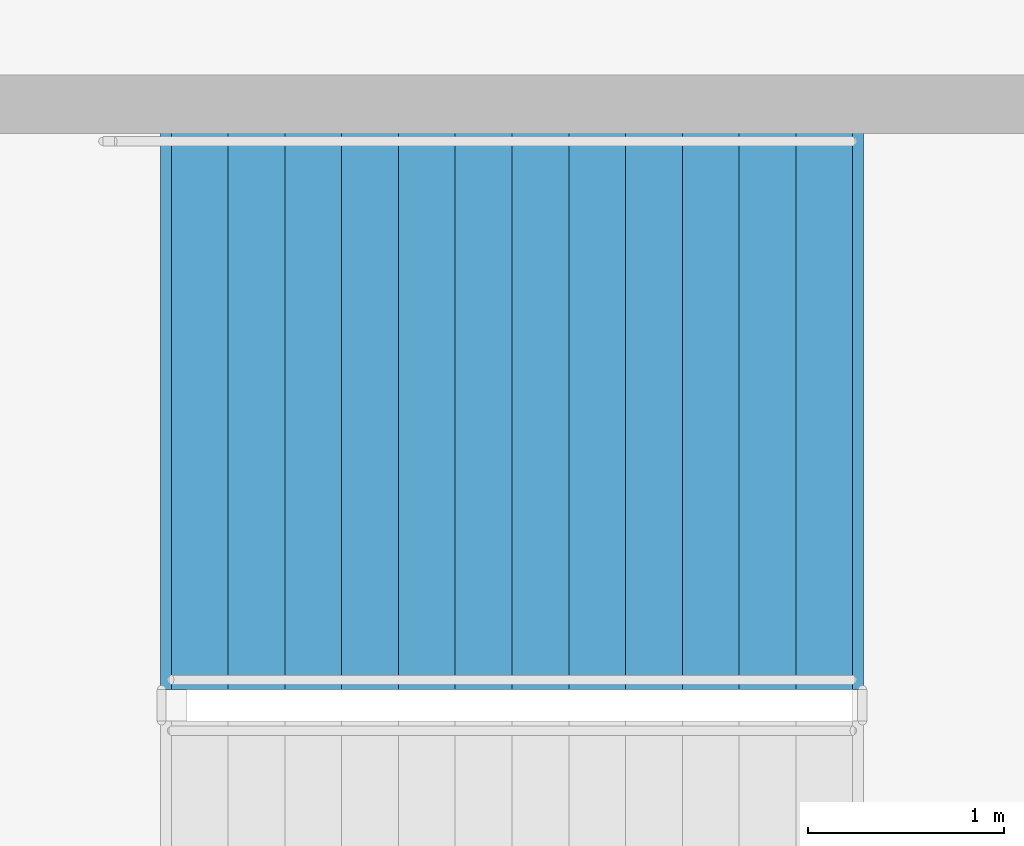
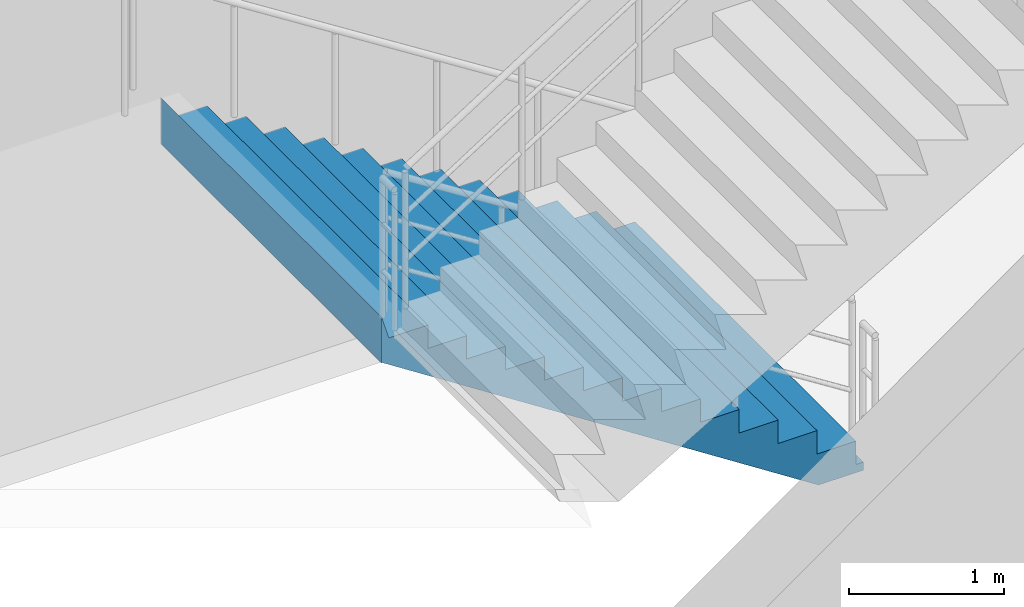
# One storey, part 125 of 144: 1 stair flight, 1 element without a shape of its own.
"""IFC4 building model written with IfcOpenShell, lengths in metres."""

from ifc_helpers import new_model, si_unit, direction, frame, origin, place, context, subcontext, project, spatial, polyline, outline, extrude, material, type_object, element, aggregate, save


model = new_model("IFC4")

# Units and contexts
model_context = context("Model", 3, precision=1e-05, world=origin(), true_north=direction((0.0, 1.0)))
body_context = subcontext(model_context, "Body", "Model", "MODEL_VIEW")
ifc_project = project(units=[si_unit("LENGTHUNIT", "METRE"), si_unit("AREAUNIT", "SQUARE_METRE"), si_unit("VOLUMEUNIT", "CUBIC_METRE"), si_unit("PLANEANGLEUNIT", "RADIAN"), si_unit("MASSUNIT", "GRAM", prefix="KILO")], contexts=[model_context])

# Site, building, storey
site_placement = place(None, origin())
site = spatial("IfcSite", under=ifc_project, at=site_placement, CompositionType="ELEMENT")
building_placement = place(site_placement, origin())
building = spatial("IfcBuilding", under=site, at=building_placement, Name="Cinderbank Siding Concert Hall", CompositionType="ELEMENT")
storey_placement = place(building_placement, frame((0.0, 0.0, 5.39990234375)))
storey = spatial("IfcBuildingStorey", under=building, at=storey_placement, Name="L02", CompositionType="ELEMENT", Elevation=5.39990234375)

# Stair, stair flight
ifc_material = material(Name="Reinforced concrete AS 3600 N50 (50 MPa)", Category="concrete")
stair_type = type_object("IfcStairType", Name="STR-J Dogleg Exit Stair 2850mm", PredefinedType="HALF_TURN_STAIR", material=ifc_material)
stair_placement = place(storey_placement, origin())
stair = element("IfcStair", 1, at=stair_placement, inside=storey, type_object=stair_type, Name="L02 East Link South Exit Stair ST-12", PredefinedType="HALF_TURN_STAIR")
stair_flight_type = type_object("IfcStairFlightType", Name="SFL-J Concrete Stair Flight 2850mm", PredefinedType="STRAIGHT", material=ifc_material)
stair_flight_placement = place(storey_placement, frame((160.85009765625, 63.284912109375, 0.0), z_axis=(0.0, 0.0, 1.0), x_axis=(-1.0, 0.0, 0.0)))
stair_flight = element("IfcStairFlight", 2, at=stair_flight_placement, type_object=stair_flight_type, Name="ST-12 flight 1", NumberOfRisers=13, NumberOfTreads=12, PredefinedType="STRAIGHT", RiserHeight=0.184615385, TreadLength=0.29, context=body_context, shape_type="SweptSolid", body=[
    extrude(outline(polyline([(0.0, 0.0), (0.0, 0.1845703125), (0.2900390625, 0.1845703125), (0.2900390625, 0.369140625), (0.580078125, 0.369140625), (0.580078125, 0.553955078125), (0.8701171875, 0.553955078125), (0.8701171875, 0.738525390625), (1.159912109375, 0.738525390625), (1.159912109375, 0.923095703125), (1.449951171875, 0.923095703125), (1.449951171875, 1.107666015625), (1.739990234375, 1.107666015625), (1.739990234375, 1.292236328125), (2.030029296875, 1.292236328125), (2.030029296875, 1.476806640625), (2.320068359375, 1.476806640625), (2.320068359375, 1.66162109375), (2.610107421875, 1.66162109375), (2.610107421875, 1.84619140625), (2.89990234375, 1.84619140625), (2.89990234375, 2.03076171875), (3.18994140625, 2.03076171875), (3.18994140625, 2.21533203125), (3.47998046875, 2.21533203125), (3.534912109375, 2.39990234375), (3.534912109375, 2.03759765625), (3.53466796875, 2.037841796875), (3.53466796875, 2.0380859375), (3.53466796875, 2.038330078125), (3.53466796875, 2.03857421875), (3.53466796875, 2.038818359375), (3.53466796875, 2.0390625), (3.53466796875, 2.039306640625), (3.53466796875, 2.03955078125), (3.53466796875, 2.039794921875), (3.53466796875, 2.0400390625), (3.53466796875, 2.040283203125), (3.53466796875, 2.04052734375), (3.534423828125, 2.04052734375), (3.534423828125, 2.040283203125), (3.534423828125, 2.0400390625), (3.534423828125, 2.039794921875), (3.534423828125, 2.03955078125), (3.534423828125, 2.039306640625), (3.534423828125, 2.0390625), (3.534423828125, 2.038818359375), (3.534423828125, 2.03857421875), (3.534423828125, 2.038330078125), (3.534423828125, 2.0380859375), (3.534423828125, 2.037841796875), (3.534423828125, 2.03759765625), (3.5341796875, 2.037841796875), (3.5341796875, 2.0380859375), (3.5341796875, 2.038330078125), (3.5341796875, 2.03857421875), (3.5341796875, 2.038818359375), (3.5341796875, 2.0390625), (3.5341796875, 2.039306640625), (3.5341796875, 2.03955078125), (3.5341796875, 2.039794921875), (3.5341796875, 2.0400390625), (3.5341796875, 2.040283203125), (3.5341796875, 2.04052734375), (3.533935546875, 2.04052734375), (3.533935546875, 2.040283203125), (3.533935546875, 2.0400390625), (3.533935546875, 2.039794921875), (3.533935546875, 2.03955078125), (3.533935546875, 2.039306640625), (3.533935546875, 2.0390625), (3.533935546875, 2.038818359375), (3.533935546875, 2.03857421875), (3.533935546875, 2.038330078125), (3.533935546875, 2.0380859375), (3.533935546875, 2.037841796875), (3.533935546875, 2.03759765625), (3.53369140625, 2.037841796875), (3.53369140625, 2.0380859375), (3.53369140625, 2.038330078125), (3.53369140625, 2.03857421875), (3.53369140625, 2.038818359375), (3.53369140625, 2.0390625), (3.53369140625, 2.039306640625), (3.53369140625, 2.03955078125), (3.53369140625, 2.039794921875), (3.53369140625, 2.0400390625), (3.53369140625, 2.040283203125), (3.53369140625, 2.04052734375), (3.533447265625, 2.04052734375), (3.533447265625, 2.040283203125), (3.533447265625, 2.0400390625), (3.533447265625, 2.039794921875), (3.533447265625, 2.03955078125), (3.533447265625, 2.039306640625), (3.533447265625, 2.0390625), (3.533447265625, 2.038818359375), (3.533447265625, 2.03857421875), (3.533447265625, 2.038330078125), (3.533447265625, 2.0380859375), (3.533447265625, 2.037841796875), (3.533447265625, 2.03759765625), (3.533203125, 2.037841796875), (3.533203125, 2.0380859375), (3.533203125, 2.038330078125), (3.533203125, 2.03857421875), (3.533203125, 2.038818359375), (3.533203125, 2.0390625), (3.533203125, 2.039306640625), (3.533203125, 2.03955078125), (3.533203125, 2.039794921875), (3.533203125, 2.0400390625), (3.533203125, 2.040283203125), (3.533203125, 2.04052734375), (3.532958984375, 2.04052734375), (3.532958984375, 2.040283203125), (3.532958984375, 2.0400390625), (3.532958984375, 2.039794921875), (3.532958984375, 2.03955078125), (3.532958984375, 2.039306640625), (3.532958984375, 2.0390625), (3.532958984375, 2.038818359375), (3.532958984375, 2.03857421875), (3.532958984375, 2.038330078125), (3.532958984375, 2.0380859375), (3.532958984375, 2.037841796875), (3.532958984375, 2.03759765625), (3.53271484375, 2.037841796875), (3.53271484375, 2.0380859375), (3.53271484375, 2.038330078125), (3.53271484375, 2.03857421875), (3.53271484375, 2.038818359375), (3.53271484375, 2.0390625), (3.53271484375, 2.039306640625), (3.53271484375, 2.03955078125), (3.53271484375, 2.039794921875), (3.53271484375, 2.0400390625), (3.53271484375, 2.040283203125), (3.53271484375, 2.04052734375), (3.532470703125, 2.04052734375), (3.532470703125, 2.040283203125), (3.532470703125, 2.0400390625), (3.532470703125, 2.039794921875), (3.532470703125, 2.03955078125), (3.532470703125, 2.039306640625), (3.532470703125, 2.0390625), (3.532470703125, 2.038818359375), (3.532470703125, 2.03857421875), (3.532470703125, 2.038330078125), (3.532470703125, 2.0380859375), (3.532470703125, 2.037841796875), (3.532470703125, 2.03759765625), (3.5322265625, 2.037841796875), (3.5322265625, 2.0380859375), (3.5322265625, 2.038330078125), (3.5322265625, 2.03857421875), (3.5322265625, 2.038818359375), (3.5322265625, 2.0390625), (3.5322265625, 2.039306640625), (3.5322265625, 2.03955078125), (3.5322265625, 2.039794921875), (3.5322265625, 2.0400390625), (3.5322265625, 2.040283203125), (3.5322265625, 2.04052734375), (3.531982421875, 2.04052734375), (3.531982421875, 2.040283203125), (3.531982421875, 2.0400390625), (3.531982421875, 2.039794921875), (3.531982421875, 2.03955078125), (3.531982421875, 2.039306640625), (3.531982421875, 2.0390625), (3.531982421875, 2.038818359375), (3.531982421875, 2.03857421875), (3.531982421875, 2.038330078125), (3.531982421875, 2.0380859375), (3.531982421875, 2.037841796875), (3.531982421875, 2.03759765625), (3.53173828125, 2.037841796875), (3.53173828125, 2.0380859375), (3.53173828125, 2.038330078125), (3.53173828125, 2.03857421875), (3.53173828125, 2.038818359375), (3.53173828125, 2.0390625), (3.53173828125, 2.039306640625), (3.53173828125, 2.03955078125), (3.53173828125, 2.039794921875), (3.53173828125, 2.0400390625), (3.53173828125, 2.040283203125), (3.53173828125, 2.04052734375), (3.531494140625, 2.04052734375), (3.531494140625, 2.040283203125), (3.531494140625, 2.0400390625), (3.531494140625, 2.039794921875), (3.531494140625, 2.03955078125), (3.531494140625, 2.039306640625), (3.531494140625, 2.0390625), (3.531494140625, 2.038818359375), (3.531494140625, 2.03857421875), (3.531494140625, 2.038330078125), (3.531494140625, 2.0380859375), (3.531494140625, 2.037841796875), (3.531494140625, 2.03759765625), (3.53125, 2.037841796875), (3.53125, 2.0380859375), (3.53125, 2.038330078125), (3.53125, 2.03857421875), (3.53125, 2.038818359375), (3.53125, 2.0390625), (3.53125, 2.039306640625), (3.53125, 2.03955078125), (3.53125, 2.039794921875), (3.53125, 2.0400390625), (3.53125, 2.040283203125), (3.53125, 2.04052734375), (3.531005859375, 2.04052734375), (3.531005859375, 2.040283203125), (3.531005859375, 2.0400390625), (3.531005859375, 2.039794921875), (3.531005859375, 2.03955078125), (3.531005859375, 2.039306640625), (3.531005859375, 2.0390625), (3.531005859375, 2.038818359375), (3.531005859375, 2.03857421875), (3.531005859375, 2.038330078125), (3.531005859375, 2.0380859375), (3.531005859375, 2.037841796875), (3.531005859375, 2.03759765625), (3.53076171875, 2.037841796875), (3.53076171875, 2.0380859375), (3.53076171875, 2.038330078125), (3.53076171875, 2.03857421875), (3.53076171875, 2.038818359375), (3.53076171875, 2.0390625), (3.53076171875, 2.039306640625), (3.53076171875, 2.03955078125), (3.53076171875, 2.039794921875), (3.53076171875, 2.0400390625), (3.53076171875, 2.040283203125), (3.53076171875, 2.04052734375), (3.530517578125, 2.04052734375), (3.530517578125, 2.040283203125), (3.530517578125, 2.0400390625), (3.530517578125, 2.039794921875), (3.530517578125, 2.03955078125), (3.530517578125, 2.039306640625), (3.530517578125, 2.0390625), (3.530517578125, 2.038818359375), (3.530517578125, 2.03857421875), (3.530517578125, 2.038330078125), (3.530517578125, 2.0380859375), (3.530517578125, 2.037841796875), (3.530517578125, 2.03759765625), (3.5302734375, 2.037841796875), (3.5302734375, 2.0380859375), (3.5302734375, 2.038330078125), (3.5302734375, 2.03857421875), (3.5302734375, 2.038818359375), (3.5302734375, 2.0390625), (3.5302734375, 2.039306640625), (3.5302734375, 2.03955078125), (3.5302734375, 2.039794921875), (3.5302734375, 2.0400390625), (3.5302734375, 2.040283203125), (3.5302734375, 2.04052734375), (3.530029296875, 2.04052734375), (3.530029296875, 2.040283203125), (3.530029296875, 2.0400390625), (3.530029296875, 2.039794921875), (3.530029296875, 2.03955078125), (3.530029296875, 2.039306640625), (3.530029296875, 2.0390625), (3.530029296875, 2.038818359375), (3.530029296875, 2.03857421875), (3.530029296875, 2.038330078125), (3.530029296875, 2.0380859375), (3.530029296875, 2.037841796875), (3.530029296875, 2.03759765625), (3.52978515625, 2.037841796875), (3.52978515625, 2.0380859375), (3.52978515625, 2.038330078125), (3.52978515625, 2.03857421875), (3.52978515625, 2.038818359375), (3.52978515625, 2.0390625), (3.52978515625, 2.039306640625), (3.52978515625, 2.03955078125), (3.52978515625, 2.039794921875), (3.52978515625, 2.0400390625), (3.52978515625, 2.040283203125), (3.52978515625, 2.04052734375), (3.529541015625, 2.04052734375), (3.529541015625, 2.040283203125), (3.529541015625, 2.0400390625), (3.529541015625, 2.039794921875), (3.529541015625, 2.03955078125), (3.529541015625, 2.039306640625), (3.529541015625, 2.0390625), (3.529541015625, 2.038818359375), (3.529541015625, 2.03857421875), (3.529541015625, 2.038330078125), (3.529541015625, 2.0380859375), (3.529541015625, 2.037841796875), (3.529541015625, 2.03759765625), (3.529296875, 2.037841796875), (3.529296875, 2.0380859375), (3.529296875, 2.038330078125), (3.529296875, 2.03857421875), (3.529296875, 2.038818359375), (3.529296875, 2.0390625), (3.529296875, 2.039306640625), (3.529296875, 2.03955078125), (3.529296875, 2.039794921875), (3.529296875, 2.0400390625), (3.529296875, 2.040283203125), (3.529296875, 2.04052734375), (3.529052734375, 2.04052734375), (3.529052734375, 2.040283203125), (3.529052734375, 2.0400390625), (3.529052734375, 2.039794921875), (3.529052734375, 2.03955078125), (3.529052734375, 2.039306640625), (3.529052734375, 2.0390625), (3.529052734375, 2.038818359375), (3.529052734375, 2.03857421875), (3.529052734375, 2.038330078125), (3.529052734375, 2.0380859375), (3.529052734375, 2.037841796875), (3.529052734375, 2.03759765625), (3.52880859375, 2.037841796875), (3.52880859375, 2.0380859375), (3.52880859375, 2.038330078125), (3.52880859375, 2.03857421875), (3.52880859375, 2.038818359375), (3.52880859375, 2.0390625), (3.52880859375, 2.039306640625), (3.52880859375, 2.03955078125), (3.52880859375, 2.039794921875), (3.52880859375, 2.0400390625), (3.52880859375, 2.040283203125), (3.52880859375, 2.04052734375), (3.528564453125, 2.04052734375), (3.528564453125, 2.040283203125), (3.528564453125, 2.0400390625), (3.528564453125, 2.039794921875), (3.528564453125, 2.03955078125), (3.528564453125, 2.039306640625), (3.528564453125, 2.0390625), (3.528564453125, 2.038818359375), (3.528564453125, 2.03857421875), (3.528564453125, 2.038330078125), (3.528564453125, 2.0380859375), (3.528564453125, 2.037841796875), (3.528564453125, 2.03759765625), (0.279052734375, -0.06396484375), (-0.048583984375, -0.063720703125), (-0.048583984375, -0.0634765625), (-0.048583984375, -0.063232421875), (-0.048583984375, -0.06298828125), (-0.048583984375, -0.062744140625), (-0.048583984375, -0.0625), (-0.048583984375, -0.062255859375), (-0.048583984375, -0.06201171875), (-0.048583984375, -0.061767578125), (-0.048583984375, -0.0615234375), (-0.048583984375, -0.061279296875), (-0.048583984375, -0.06103515625), (-0.048828125, -0.06103515625), (-0.048828125, -0.061279296875), (-0.048828125, -0.0615234375), (-0.048828125, -0.061767578125), (-0.048828125, -0.06201171875), (-0.048828125, -0.062255859375), (-0.048828125, -0.0625), (-0.048828125, -0.062744140625), (-0.048828125, -0.06298828125), (-0.048828125, -0.063232421875), (-0.048828125, -0.0634765625), (-0.048828125, -0.063720703125), (-0.048828125, -0.06396484375), (-0.049072265625, -0.063720703125), (-0.049072265625, -0.0634765625), (-0.049072265625, -0.063232421875), (-0.049072265625, -0.06298828125), (-0.049072265625, -0.062744140625), (-0.049072265625, -0.0625), (-0.049072265625, -0.062255859375), (-0.049072265625, -0.06201171875), (-0.049072265625, -0.061767578125), (-0.049072265625, -0.0615234375), (-0.049072265625, -0.061279296875), (-0.049072265625, -0.06103515625), (-0.04931640625, -0.06103515625), (-0.04931640625, -0.061279296875), (-0.04931640625, -0.0615234375), (-0.04931640625, -0.061767578125), (-0.04931640625, -0.06201171875), (-0.04931640625, -0.062255859375), (-0.04931640625, -0.0625), (-0.04931640625, -0.062744140625), (-0.04931640625, -0.06298828125), (-0.04931640625, -0.063232421875), (-0.04931640625, -0.0634765625), (-0.04931640625, -0.063720703125), (-0.04931640625, -0.06396484375), (-0.049560546875, -0.063720703125), (-0.049560546875, -0.0634765625), (-0.049560546875, -0.063232421875), (-0.049560546875, -0.06298828125), (-0.049560546875, -0.062744140625), (-0.049560546875, -0.0625), (-0.049560546875, -0.062255859375), (-0.049560546875, -0.06201171875), (-0.049560546875, -0.061767578125), (-0.049560546875, -0.0615234375), (-0.049560546875, -0.061279296875), (-0.049560546875, -0.06103515625), (-0.0498046875, -0.06103515625), (-0.0498046875, -0.061279296875), (-0.0498046875, -0.0615234375), (-0.0498046875, -0.061767578125), (-0.0498046875, -0.06201171875), (-0.0498046875, -0.062255859375), (-0.0498046875, -0.0625), (-0.0498046875, -0.062744140625), (-0.0498046875, -0.06298828125), (-0.0498046875, -0.063232421875), (-0.0498046875, -0.0634765625), (-0.0498046875, -0.063720703125), (-0.0498046875, -0.06396484375), (-0.050048828125, -0.063720703125), (-0.050048828125, -0.0634765625), (-0.050048828125, -0.063232421875), (-0.050048828125, -0.06298828125), (-0.050048828125, -0.062744140625), (-0.050048828125, -0.0625), (-0.050048828125, -0.062255859375), (-0.050048828125, -0.06201171875), (-0.050048828125, -0.061767578125), (-0.050048828125, -0.0615234375), (-0.050048828125, -0.061279296875), (-0.050048828125, -0.06103515625), (-0.05029296875, -0.06103515625), (-0.05029296875, -0.061279296875), (-0.05029296875, -0.0615234375), (-0.05029296875, -0.061767578125), (-0.05029296875, -0.06201171875), (-0.05029296875, -0.062255859375), (-0.05029296875, -0.0625), (-0.05029296875, -0.062744140625), (-0.05029296875, -0.06298828125), (-0.05029296875, -0.063232421875), (-0.05029296875, -0.0634765625), (-0.05029296875, -0.063720703125), (-0.05029296875, -0.06396484375), (-0.050537109375, -0.063720703125), (-0.050537109375, -0.0634765625), (-0.050537109375, -0.063232421875), (-0.050537109375, -0.06298828125), (-0.050537109375, -0.062744140625), (-0.050537109375, -0.0625), (-0.050537109375, -0.062255859375), (-0.050537109375, -0.06201171875), (-0.050537109375, -0.061767578125), (-0.050537109375, -0.0615234375), (-0.050537109375, -0.061279296875), (-0.050537109375, -0.06103515625), (-0.05078125, -0.06103515625), (-0.05078125, -0.061279296875), (-0.05078125, -0.0615234375), (-0.05078125, -0.061767578125), (-0.05078125, -0.06201171875), (-0.05078125, -0.062255859375), (-0.05078125, -0.0625), (-0.05078125, -0.062744140625), (-0.05078125, -0.06298828125), (-0.05078125, -0.063232421875), (-0.05078125, -0.0634765625), (-0.05078125, -0.063720703125), (-0.05078125, -0.06396484375), (-0.051025390625, -0.063720703125), (-0.051025390625, -0.0634765625), (-0.051025390625, -0.063232421875), (-0.051025390625, -0.06298828125), (-0.051025390625, -0.062744140625), (-0.051025390625, -0.0625), (-0.051025390625, -0.062255859375), (-0.051025390625, -0.06201171875), (-0.051025390625, -0.061767578125), (-0.051025390625, -0.0615234375), (-0.051025390625, -0.061279296875), (-0.051025390625, -0.06103515625), (-0.05126953125, -0.06103515625), (-0.05126953125, -0.061279296875), (-0.05126953125, -0.0615234375), (-0.05126953125, -0.061767578125), (-0.05126953125, -0.06201171875), (-0.05126953125, -0.062255859375), (-0.05126953125, -0.0625), (-0.05126953125, -0.062744140625), (-0.05126953125, -0.06298828125), (-0.05126953125, -0.063232421875), (-0.05126953125, -0.0634765625), (-0.05126953125, -0.063720703125), (-0.05126953125, -0.06396484375), (-0.051513671875, -0.063720703125), (-0.051513671875, -0.0634765625), (-0.051513671875, -0.063232421875), (-0.051513671875, -0.06298828125), (-0.051513671875, -0.062744140625), (-0.051513671875, -0.0625), (-0.051513671875, -0.062255859375), (-0.051513671875, -0.06201171875), (-0.051513671875, -0.061767578125), (-0.051513671875, -0.0615234375), (-0.051513671875, -0.061279296875), (-0.051513671875, -0.06103515625), (-0.0517578125, -0.06103515625), (-0.0517578125, -0.061279296875), (-0.0517578125, -0.0615234375), (-0.0517578125, -0.061767578125), (-0.0517578125, -0.06201171875), (-0.0517578125, -0.062255859375), (-0.0517578125, -0.0625), (-0.0517578125, -0.062744140625), (-0.0517578125, -0.06298828125), (-0.0517578125, -0.063232421875), (-0.0517578125, -0.0634765625), (-0.0517578125, -0.063720703125), (-0.0517578125, -0.06396484375), (-0.052001953125, -0.063720703125), (-0.052001953125, -0.0634765625), (-0.052001953125, -0.063232421875), (-0.052001953125, -0.06298828125), (-0.052001953125, -0.062744140625), (-0.052001953125, -0.0625), (-0.052001953125, -0.062255859375), (-0.052001953125, -0.06201171875), (-0.052001953125, -0.061767578125), (-0.052001953125, -0.0615234375), (-0.052001953125, -0.061279296875), (-0.052001953125, -0.06103515625), (-0.05224609375, -0.06103515625), (-0.05224609375, -0.061279296875), (-0.05224609375, -0.0615234375), (-0.05224609375, -0.061767578125), (-0.05224609375, -0.06201171875), (-0.05224609375, -0.062255859375), (-0.05224609375, -0.0625), (-0.05224609375, -0.062744140625), (-0.05224609375, -0.06298828125), (-0.05224609375, -0.063232421875), (-0.05224609375, -0.0634765625), (-0.05224609375, -0.063720703125), (-0.05224609375, -0.06396484375), (-0.052490234375, -0.063720703125), (-0.052490234375, -0.0634765625), (-0.052490234375, -0.063232421875), (-0.052490234375, -0.06298828125), (-0.052490234375, -0.062744140625), (-0.052490234375, -0.0625), (-0.052490234375, -0.062255859375), (-0.052490234375, -0.06201171875), (-0.052490234375, -0.061767578125), (-0.052490234375, -0.0615234375), (-0.052490234375, -0.061279296875), (-0.052490234375, -0.06103515625), (-0.052734375, -0.06103515625), (-0.052734375, -0.061279296875), (-0.052734375, -0.0615234375), (-0.052734375, -0.061767578125), (-0.052734375, -0.06201171875), (-0.052734375, -0.062255859375), (-0.052734375, -0.0625), (-0.052734375, -0.062744140625), (-0.052734375, -0.06298828125), (-0.052734375, -0.063232421875), (-0.052734375, -0.0634765625), (-0.052734375, -0.063720703125), (-0.052734375, -0.06396484375), (-0.052978515625, -0.063720703125), (-0.052978515625, -0.0634765625), (-0.052978515625, -0.063232421875), (-0.052978515625, -0.06298828125), (-0.052978515625, -0.062744140625), (-0.052978515625, -0.0625), (-0.052978515625, -0.062255859375), (-0.052978515625, -0.06201171875), (-0.052978515625, -0.061767578125), (-0.052978515625, -0.0615234375), (-0.052978515625, -0.061279296875), (-0.052978515625, -0.06103515625), (-0.05322265625, -0.06103515625), (-0.05322265625, -0.061279296875), (-0.05322265625, -0.0615234375), (-0.05322265625, -0.061767578125), (-0.05322265625, -0.06201171875), (-0.05322265625, -0.062255859375), (-0.05322265625, -0.0625), (-0.05322265625, -0.062744140625), (-0.05322265625, -0.06298828125), (-0.05322265625, -0.063232421875), (-0.05322265625, -0.0634765625), (-0.05322265625, -0.063720703125), (-0.05322265625, -0.06396484375), (-0.053466796875, -0.063720703125), (-0.053466796875, -0.0634765625), (-0.053466796875, -0.063232421875), (-0.053466796875, -0.06298828125), (-0.053466796875, -0.062744140625), (-0.053466796875, -0.0625), (-0.053466796875, -0.062255859375), (-0.053466796875, -0.06201171875), (-0.053466796875, -0.061767578125), (-0.053466796875, -0.0615234375), (-0.053466796875, -0.061279296875), (-0.053466796875, -0.06103515625), (-0.0537109375, -0.06103515625), (-0.0537109375, -0.061279296875), (-0.0537109375, -0.0615234375), (-0.0537109375, -0.061767578125), (-0.0537109375, -0.06201171875), (-0.0537109375, -0.062255859375), (-0.0537109375, -0.0625), (-0.0537109375, -0.062744140625), (-0.0537109375, -0.06298828125), (-0.0537109375, -0.063232421875), (-0.0537109375, -0.0634765625), (-0.0537109375, -0.063720703125), (-0.0537109375, -0.06396484375), (-0.053955078125, -0.063720703125), (-0.053955078125, -0.0634765625), (-0.053955078125, -0.063232421875), (-0.053955078125, -0.06298828125), (-0.053955078125, -0.062744140625), (-0.053955078125, -0.0625), (-0.053955078125, -0.062255859375), (-0.053955078125, -0.06201171875), (-0.053955078125, -0.061767578125), (-0.053955078125, -0.0615234375), (-0.053955078125, -0.061279296875), (-0.053955078125, -0.06103515625), (-0.05419921875, -0.06103515625), (-0.05419921875, -0.061279296875), (-0.05419921875, -0.0615234375), (-0.05419921875, -0.061767578125), (-0.05419921875, -0.06201171875), (-0.05419921875, -0.062255859375), (-0.05419921875, -0.0625), (-0.05419921875, -0.062744140625), (-0.05419921875, -0.06298828125), (-0.05419921875, -0.063232421875), (-0.05419921875, -0.0634765625), (-0.05419921875, -0.063720703125), (-0.05419921875, -0.06396484375), (-0.054443359375, -0.063720703125), (-0.054443359375, -0.0634765625), (-0.054443359375, -0.063232421875), (-0.054443359375, -0.06298828125), (-0.054443359375, -0.062744140625), (-0.054443359375, -0.0625), (-0.054443359375, -0.062255859375), (-0.054443359375, -0.06201171875), (-0.054443359375, -0.061767578125), (-0.054443359375, -0.0615234375), (-0.054443359375, -0.061279296875), (-0.054443359375, -0.06103515625), (-0.0546875, -0.06103515625), (-0.0546875, -0.061279296875), (-0.0546875, -0.0615234375), (-0.0546875, -0.061767578125), (-0.0546875, -0.06201171875), (-0.0546875, -0.062255859375), (-0.0546875, -0.0625), (-0.0546875, -0.062744140625), (-0.0546875, -0.06298828125), (-0.0546875, -0.063232421875), (-0.0546875, -0.0634765625), (-0.0546875, -0.063720703125), (-0.0546875, -0.06396484375), (-0.054931640625, -0.06396484375), (-0.054931640625, 0.0), (0.0, 0.0)])), frame((0.0, 1.425048828125, 0.0), z_axis=(0.0, -1.0, 0.0), x_axis=(1.0, 0.0, 0.0)), (0.0, 0.0, 1.0), 2.85009765625),
])
aggregate(stair, [stair_flight])

save(model, "model.ifc")
